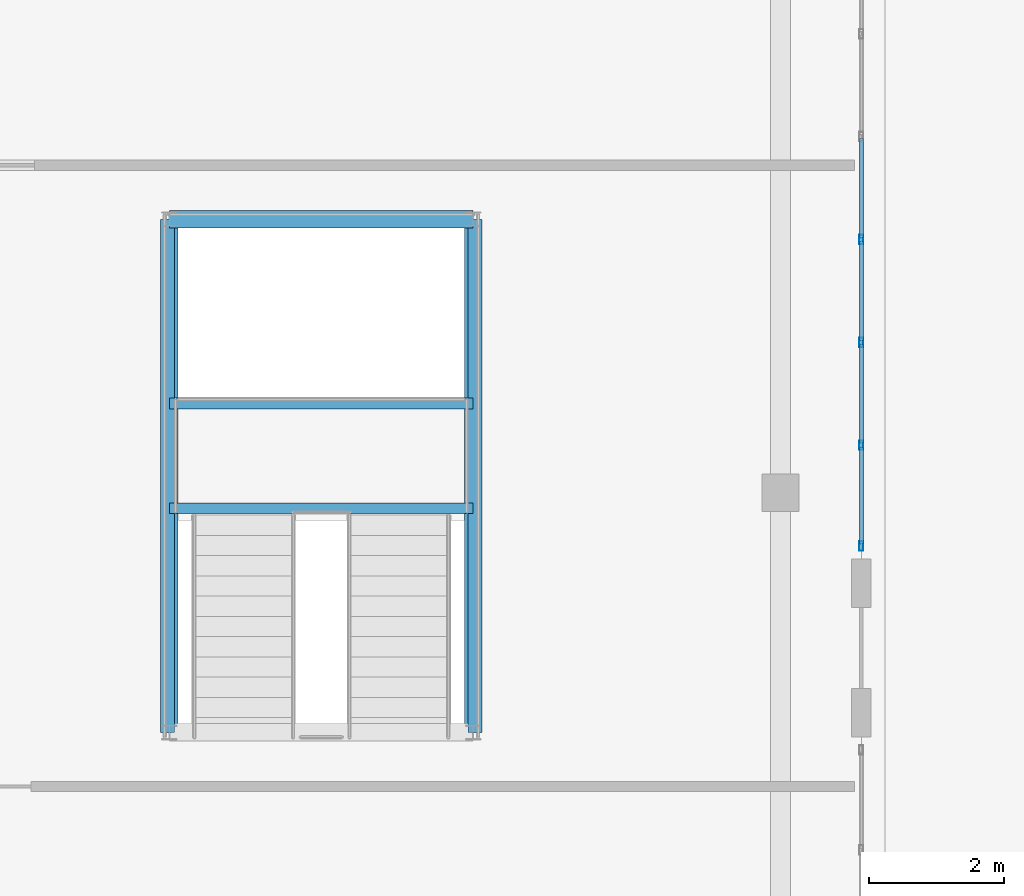
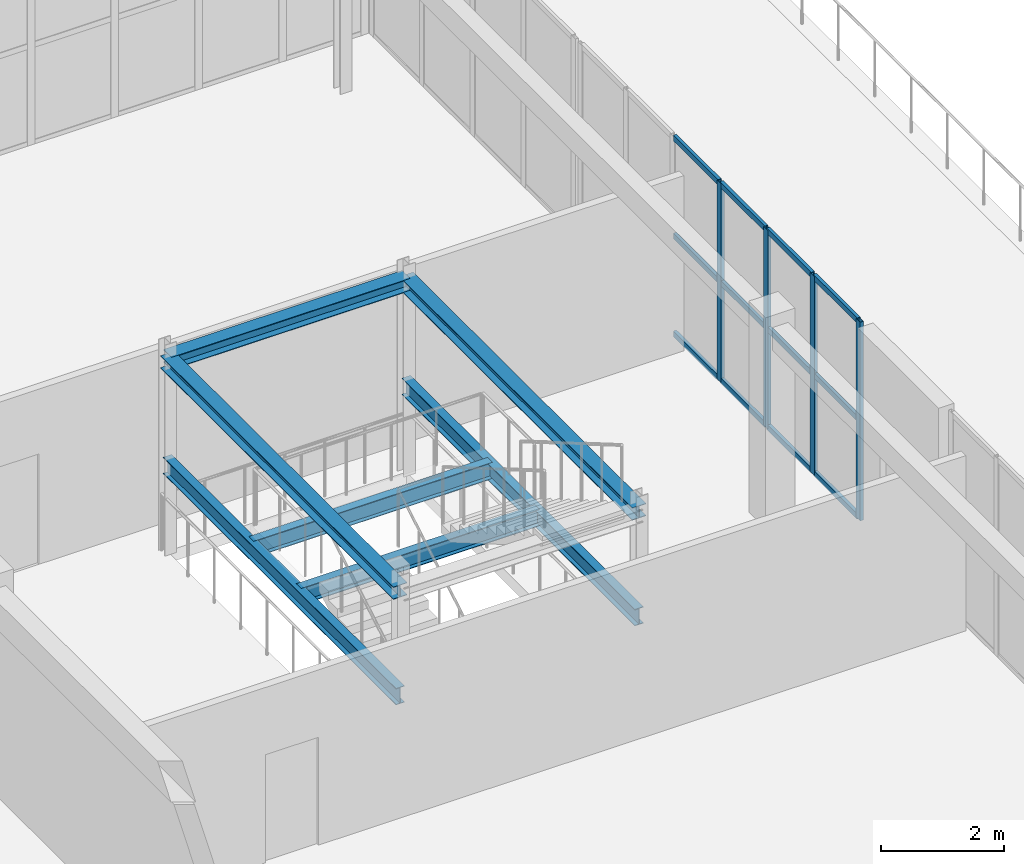
# One storey, part 33 of 90: 16 members, 7 beams, 1 element without a shape of its own.
"""IFC4 building model written with IfcOpenShell, lengths in metres."""

import ifcopenshell
import ifcopenshell.guid

model = None  # the IFC model being written
_history = None  # IfcOwnerHistory: only IFC2X3 demands one
_inside = {}  # id of a spatial element -> (the spatial element, [elements in it])
_under = {}  # id of a project, library or spatial element -> (it, [spatial elements below it])
_declared = {}  # id of a project -> (the project, [libraries it declares])
_typed = {}  # id of a type object -> (the type object, [elements of that type])
_made_of = {}  # id of a material, layer set ... -> (it, [elements and type objects made of it])


def new_model(schema):
    """Start an empty IFC model of exactly this schema.

    Asked for "IFC4X3", IfcOpenShell would pick the latest addendum, in which some entities
    have other attributes; the version numbers below select the first issue.
    IFC2X3 requires an IfcOwnerHistory on every rooted entity: one is made here for all.
    """
    global model, _history
    if schema == "IFC4X3":
        model = ifcopenshell.file(schema_version=(4, 3, 0, 0))
    else:
        model = ifcopenshell.file(schema=schema)
    _inside.clear()
    _under.clear()
    _declared.clear()
    _typed.clear()
    _made_of.clear()
    _history = None
    if model.schema == "IFC2X3":
        org = make("IfcOrganization", Name="unknown")
        user = make(
            "IfcPersonAndOrganization",
            ThePerson=make("IfcPerson", FamilyName="unknown"),
            TheOrganization=org,
        )
        app = make(
            "IfcApplication",
            ApplicationDeveloper=org,
            Version="unknown",
            ApplicationFullName="unknown",
            ApplicationIdentifier="unknown",
        )
        _history = make(
            "IfcOwnerHistory",
            OwningUser=user,
            OwningApplication=app,
            ChangeAction="ADDED",
            CreationDate=0,
        )
    return model


def make(cls, **values):
    """One entity of the class cls with the attributes given. An attribute that is None is left unset."""
    return model.create_entity(
        cls, **{name: value for name, value in values.items() if value is not None}
    )


def rooted(cls, **values):
    """An entity with a GlobalId (a new one), such as an element, a storey or a relation."""
    return make(cls, GlobalId=ifcopenshell.guid.new(), OwnerHistory=_history, **values)


def si_unit(unit_type, name, prefix=None):
    """IfcSIUnit, for example si_unit("LENGTHUNIT", "METRE", prefix="MILLI")."""
    return make("IfcSIUnit", UnitType=unit_type, Prefix=prefix, Name=name)


def assignment(units):
    """IfcUnitAssignment: the units of a project."""
    return None if units is None else make("IfcUnitAssignment", Units=units)


def point(xyz):
    """IfcCartesianPoint."""
    return None if xyz is None else make("IfcCartesianPoint", Coordinates=xyz)


def direction(xyz):
    """IfcDirection."""
    return None if xyz is None else make("IfcDirection", DirectionRatios=xyz)


def frame(location, z_axis=None, x_axis=None):
    """IfcAxis2Placement3D, a coordinate frame: its origin and axes. An axis left out is left unset."""
    return make(
        "IfcAxis2Placement3D",
        Location=point(location),
        Axis=direction(z_axis),
        RefDirection=direction(x_axis),
    )


def frame_2d(location, x_axis=None):
    """IfcAxis2Placement2D, a coordinate frame in the plane: its origin and x axis."""
    return make(
        "IfcAxis2Placement2D", Location=point(location), RefDirection=direction(x_axis)
    )


def origin():
    """The frame at (0, 0, 0) with its axes left unset."""
    return frame((0.0, 0.0, 0.0))


def origin_2d():
    """The frame at (0, 0) in the plane with its x axis left unset."""
    return frame_2d((0.0, 0.0))


def place(relative_to, where):
    """IfcLocalPlacement: puts the frame where relative to a parent placement (None: the world)."""
    return make(
        "IfcLocalPlacement", PlacementRelTo=relative_to, RelativePlacement=where
    )


def context(
    kind, dimensions, precision=None, world=None, true_north=None, identifier=None
):
    """IfcGeometricRepresentationContext, for example the 3D "Model" context."""
    return make(
        "IfcGeometricRepresentationContext",
        ContextIdentifier=identifier,
        ContextType=kind,
        CoordinateSpaceDimension=dimensions,
        Precision=precision,
        WorldCoordinateSystem=world,
        TrueNorth=true_north,
    )


def subcontext(parent, identifier, kind, view, scale=None):
    """IfcGeometricRepresentationSubContext, for example "Body" below "Model"."""
    return make(
        "IfcGeometricRepresentationSubContext",
        ContextIdentifier=identifier,
        ContextType=kind,
        ParentContext=parent,
        TargetScale=scale,
        TargetView=view,
    )


def project(units=None, contexts=None):
    """IfcProject with its units and contexts."""
    return rooted(
        "IfcProject",
        Name="project",
        RepresentationContexts=contexts,
        UnitsInContext=assignment(units),
    )


def spatial(cls, under=None, at=None, **own):
    """A site, building, storey or space (cls), placed at a placement, below another one or the project."""
    s = rooted(cls, ObjectPlacement=at, **own)
    if under is not None:
        _under.setdefault(under.id(), (under, []))[1].append(s)
    return s


def profile(cls, at=None, kind="AREA", **sizes):
    """A parametric profile (cls). Its sizes go by their IFC names, for example OverallWidth=200.0."""
    return make(cls, ProfileType=kind, Position=at, **sizes)


def hollow_rectangle(**sizes):
    """IfcRectangleHollowProfileDef."""
    return profile("IfcRectangleHollowProfileDef", **sizes)


def i_section(**sizes):
    """IfcIShapeProfileDef."""
    return profile("IfcIShapeProfileDef", **sizes)


def extrude(swept, where, along, depth):
    """IfcExtrudedAreaSolid: the profile swept, set in the frame where, extruded along a direction by depth."""
    return make(
        "IfcExtrudedAreaSolid",
        SweptArea=swept,
        Position=where,
        ExtrudedDirection=direction(along),
        Depth=depth,
    )


def shape(context_of_items, identifier, shape_type, items):
    """IfcShapeRepresentation: the items that make up one representation, for example the "Body"."""
    return make(
        "IfcShapeRepresentation",
        ContextOfItems=context_of_items,
        RepresentationIdentifier=identifier,
        RepresentationType=shape_type,
        Items=items,
    )


def material(Name=None, Category=None):
    """IfcMaterial."""
    return make("IfcMaterial", Name=Name, Category=Category)


def layer(
    of_material, thickness, ventilated=None, Name=None, Category=None, Priority=None
):
    """IfcMaterialLayer: one layer of a wall or slab, of a material (None: an air gap)."""
    return make(
        "IfcMaterialLayer",
        Material=of_material,
        LayerThickness=thickness,
        IsVentilated=ventilated,
        Name=Name,
        Category=Category,
        Priority=Priority,
    )


def layer_set(layers, Name=None):
    """IfcMaterialLayerSet."""
    return make("IfcMaterialLayerSet", MaterialLayers=layers, LayerSetName=Name)


def material_profile(
    of_material, cross_section, Name=None, Category=None, Priority=None
):
    """IfcMaterialProfile: a cross section and its material."""
    return make(
        "IfcMaterialProfile",
        Name=Name,
        Material=of_material,
        Profile=cross_section,
        Priority=Priority,
        Category=Category,
    )


def profile_set(profiles, Name=None, composite=None):
    """IfcMaterialProfileSet."""
    return make(
        "IfcMaterialProfileSet",
        Name=Name,
        MaterialProfiles=profiles,
        CompositeProfile=composite,
    )


def made_of(thing, what):
    """Note that an element or type object is made of a material, layer set ...; save() writes the relation."""
    if what is not None:
        _made_of.setdefault(what.id(), (what, []))[1].append(thing)
    return thing


def type_object(cls, material=None, **own):
    """A type object (cls), such as IfcWallType, which elements share."""
    return made_of(rooted(cls, **own), material)


def element(
    cls,
    number,
    at=None,
    inside=None,
    cuts=None,
    type_object=None,
    material=None,
    context=None,
    identifier="Body",
    shape_type=None,
    held_by="IfcProductDefinitionShape",
    body=None,
    shapes=None,
    **own,
):
    """One element of the class cls, such as IfcWall. Its Tag is "e" and its number.

    at: its placement. inside: the storey or other place that contains it. cuts: it is an
    opening in that element (IfcRelVoidsElement). A single representation is given by context,
    identifier, shape_type and body (its items); several are given by shapes. held_by: the class
    of the entity that holds the representations. save() writes the other relations.
    """
    e = rooted(cls, Tag="e%d" % number, ObjectPlacement=at, **own)
    if body is not None:
        shapes = [shape(context, identifier, shape_type, body)]
    if shapes is not None:
        e.Representation = make(held_by, Representations=shapes)
    if inside is not None:
        _inside.setdefault(inside.id(), (inside, []))[1].append(e)
    if cuts is not None:
        rooted(
            "IfcRelVoidsElement", RelatingBuildingElement=cuts, RelatedOpeningElement=e
        )
    if type_object is not None:
        _typed.setdefault(type_object.id(), (type_object, []))[1].append(e)
    return made_of(e, material)


def aggregate(whole, parts):
    """IfcRelAggregates: a whole, such as a stair, and the parts it consists of."""
    return rooted("IfcRelAggregates", RelatingObject=whole, RelatedObjects=parts)


def save(model, path):
    """Write the relations noted so far, then the file.

    IfcRelAggregates (storeys below a building ...), IfcRelContainedInSpatialStructure (elements
    in a storey), IfcRelDefinesByType, IfcRelAssociatesMaterial and IfcRelDeclares: one each for
    every whole, place, type object, material and project.
    """
    for whole, parts in _under.values():
        aggregate(whole, parts)
    for where, things in _inside.values():
        rooted(
            "IfcRelContainedInSpatialStructure",
            RelatedElements=things,
            RelatingStructure=where,
        )
    for kind, things in _typed.values():
        rooted("IfcRelDefinesByType", RelatedObjects=things, RelatingType=kind)
    for what, things in _made_of.values():
        rooted("IfcRelAssociatesMaterial", RelatedObjects=things, RelatingMaterial=what)
    for by, libraries in _declared.values():
        rooted("IfcRelDeclares", RelatingContext=by, RelatedDefinitions=libraries)
    model.write(path)


model = new_model("IFC4")

# Units and contexts
model_context = context("Model", 3, precision=1e-05, world=origin(), true_north=direction((0.0, 1.0)))
body_context = subcontext(model_context, "Body", "Model", "MODEL_VIEW")
ifc_project = project(units=[si_unit("LENGTHUNIT", "METRE"), si_unit("AREAUNIT", "SQUARE_METRE"), si_unit("VOLUMEUNIT", "CUBIC_METRE"), si_unit("PLANEANGLEUNIT", "RADIAN"), si_unit("MASSUNIT", "GRAM", prefix="KILO")], contexts=[model_context])

# Site, building, storey
site_placement = place(None, origin())
site = spatial("IfcSite", under=ifc_project, at=site_placement, CompositionType="ELEMENT")
building_placement = place(site_placement, origin())
building = spatial("IfcBuilding", under=site, at=building_placement, Name="Trelvath General Hospital", CompositionType="ELEMENT")
storey_placement = place(building_placement, frame((0.0, 0.0, 20.39990234375)))
storey = spatial("IfcBuildingStorey", under=building, at=storey_placement, Name="L05", CompositionType="ELEMENT", Elevation=20.39990234375)

# Curtain wall, members
ifc_material_1 = material(Name="Anodised aluminium and low-E glass", Category="aluminium")
ifc_layer = layer(ifc_material_1, 0.14990234375)
ifc_layer_set = layer_set([ifc_layer], Name="Anodised aluminium and low-E glass")
curtain_wall_type = type_object("IfcCurtainWallType", Name="CW CrystalCube 914 396 15", PredefinedType="USERDEFINED", material=ifc_layer_set)
curtain_wall_placement = place(storey_placement, origin())
curtain_wall = element("IfcCurtainWall", 1, at=curtain_wall_placement, inside=storey, type_object=curtain_wall_type, Name="Crystal Cube Curtain Wall CUBE-E-T2 E4 L05", ObjectType="Unitised Glazed Curtain Wall", PredefinedType="USERDEFINED")
ifc_material_2 = material(Name="Anodised aluminium", Category="aluminium")
ifc_material_profile_1 = material_profile(ifc_material_2, hollow_rectangle(XDim=0.06005859375, YDim=0.139892578125, WallThickness=0.00390625, at=origin_2d()), Name="RHS60x140x4")
ifc_profile_set_1 = profile_set([ifc_material_profile_1], Name="Anodised aluminium")
member_type_1 = type_object("IfcMemberType", Name="CurtainMullion 60x140", PredefinedType="MULLION", material=ifc_profile_set_1)
member_1_placement = place(storey_placement, frame((108.39990234375, 62.550048828125, 0.0), z_axis=(0.0, 0.0, 1.0), x_axis=(1.0, 0.0, 0.0)))
member_1 = element("IfcMember", 2, at=member_1_placement, type_object=member_type_1, Name="CW-321 mullion 4", PredefinedType="MULLION", context=body_context, shape_type="SweptSolid", body=[
    extrude(hollow_rectangle(XDim=0.06005859375, YDim=0.139892578125, WallThickness=0.00390625, at=origin_2d()), origin(), (0.0, 0.0, 1.0), 3.960205078125),
])
member_2_placement = place(storey_placement, frame((108.39990234375, 61.026611328125, 0.0), z_axis=(0.0, 0.0, 1.0), x_axis=(1.0, 0.0, 0.0)))
member_2 = element("IfcMember", 3, at=member_2_placement, type_object=member_type_1, Name="CW-321 mullion 5", PredefinedType="MULLION", context=body_context, shape_type="SweptSolid", body=[
    extrude(hollow_rectangle(XDim=0.06005859375, YDim=0.139892578125, WallThickness=0.00390625, at=origin_2d()), origin(), (0.0, 0.0, 1.0), 3.960205078125),
])
member_3_placement = place(storey_placement, frame((108.39990234375, 59.50341796875, 0.0), z_axis=(0.0, 0.0, 1.0), x_axis=(1.0, 0.0, 0.0)))
member_3 = element("IfcMember", 4, at=member_3_placement, type_object=member_type_1, Name="CW-321 mullion 6", PredefinedType="MULLION", context=body_context, shape_type="SweptSolid", body=[
    extrude(hollow_rectangle(XDim=0.06005859375, YDim=0.139892578125, WallThickness=0.00390625, at=origin_2d()), origin(), (0.0, 0.0, 1.0), 3.960205078125),
])
member_4_placement = place(storey_placement, frame((108.39990234375, 58.010009765625, 0.0), z_axis=(0.0, 0.0, 1.0), x_axis=(1.0, 0.0, 0.0)))
member_4 = element("IfcMember", 5, at=member_4_placement, type_object=member_type_1, Name="CW-321 mullion 7", PredefinedType="MULLION", context=body_context, shape_type="SweptSolid", body=[
    extrude(hollow_rectangle(XDim=0.06005859375, YDim=0.139892578125, WallThickness=0.00390625, at=origin_2d()), origin(), (0.0, 0.0, 1.0), 3.960205078125),
])
ifc_material_3 = material(Name="Anodised aluminium", Category="aluminium")
ifc_material_profile_2 = material_profile(ifc_material_3, hollow_rectangle(XDim=0.06005859375, YDim=0.110107421875, WallThickness=0.00390625, at=origin_2d()), Name="RHS60x110x4")
ifc_profile_set_2 = profile_set([ifc_material_profile_2], Name="Anodised aluminium")
member_type_2 = type_object("IfcMemberType", Name="CurtainTransom 60x110", PredefinedType="USERDEFINED", material=ifc_profile_set_2)
member_5_placement = place(storey_placement, frame((108.39990234375, 64.043212890625, 0.030029296875), z_axis=(0.0, -1.0, 0.0), x_axis=(1.0, 0.0, 0.0)))
member_5 = element("IfcMember", 6, at=member_5_placement, type_object=member_type_2, Name="CW-321 transom 3.1", ObjectType="TRANSOM", PredefinedType="USERDEFINED", context=body_context, shape_type="SweptSolid", body=[
    extrude(hollow_rectangle(XDim=0.06005859375, YDim=0.110107421875, WallThickness=0.00390625, at=origin_2d()), origin(), (0.0, 0.0, 1.0), 1.463134765625),
])
member_6_placement = place(storey_placement, frame((108.39990234375, 64.043212890625, 1.97998046875), z_axis=(0.0, -1.0, 0.0), x_axis=(1.0, 0.0, 0.0)))
member_6 = element("IfcMember", 7, at=member_6_placement, type_object=member_type_2, Name="CW-321 transom 3.2", ObjectType="TRANSOM", PredefinedType="USERDEFINED", context=body_context, shape_type="SweptSolid", body=[
    extrude(hollow_rectangle(XDim=0.06005859375, YDim=0.110107421875, WallThickness=0.00390625, at=origin_2d()), origin(), (0.0, 0.0, 1.0), 1.463134765625),
])
member_7_placement = place(storey_placement, frame((108.39990234375, 64.043212890625, 3.93017578125), z_axis=(0.0, -1.0, 0.0), x_axis=(1.0, 0.0, 0.0)))
member_7 = element("IfcMember", 8, at=member_7_placement, type_object=member_type_2, Name="CW-321 transom 3.3", ObjectType="TRANSOM", PredefinedType="USERDEFINED", context=body_context, shape_type="SweptSolid", body=[
    extrude(hollow_rectangle(XDim=0.06005859375, YDim=0.110107421875, WallThickness=0.00390625, at=origin_2d()), origin(), (0.0, 0.0, 1.0), 1.463134765625),
])
member_8_placement = place(storey_placement, frame((108.39990234375, 62.52001953125, 0.030029296875), z_axis=(0.0, -1.0, 0.0), x_axis=(1.0, 0.0, 0.0)))
member_8 = element("IfcMember", 9, at=member_8_placement, type_object=member_type_2, Name="CW-321 transom 4.1", ObjectType="TRANSOM", PredefinedType="USERDEFINED", context=body_context, shape_type="SweptSolid", body=[
    extrude(hollow_rectangle(XDim=0.06005859375, YDim=0.110107421875, WallThickness=0.00390625, at=origin_2d()), origin(), (0.0, 0.0, 1.0), 1.46337890625),
])
member_9_placement = place(storey_placement, frame((108.39990234375, 62.52001953125, 1.97998046875), z_axis=(0.0, -1.0, 0.0), x_axis=(1.0, 0.0, 0.0)))
member_9 = element("IfcMember", 10, at=member_9_placement, type_object=member_type_2, Name="CW-321 transom 4.2", ObjectType="TRANSOM", PredefinedType="USERDEFINED", context=body_context, shape_type="SweptSolid", body=[
    extrude(hollow_rectangle(XDim=0.06005859375, YDim=0.110107421875, WallThickness=0.00390625, at=origin_2d()), origin(), (0.0, 0.0, 1.0), 1.46337890625),
])
member_10_placement = place(storey_placement, frame((108.39990234375, 62.52001953125, 3.93017578125), z_axis=(0.0, -1.0, 0.0), x_axis=(1.0, 0.0, 0.0)))
member_10 = element("IfcMember", 11, at=member_10_placement, type_object=member_type_2, Name="CW-321 transom 4.3", ObjectType="TRANSOM", PredefinedType="USERDEFINED", context=body_context, shape_type="SweptSolid", body=[
    extrude(hollow_rectangle(XDim=0.06005859375, YDim=0.110107421875, WallThickness=0.00390625, at=origin_2d()), origin(), (0.0, 0.0, 1.0), 1.46337890625),
])
member_11_placement = place(storey_placement, frame((108.39990234375, 60.99658203125, 0.030029296875), z_axis=(0.0, -1.0, 0.0), x_axis=(1.0, 0.0, 0.0)))
member_11 = element("IfcMember", 12, at=member_11_placement, type_object=member_type_2, Name="CW-321 transom 5.1", ObjectType="TRANSOM", PredefinedType="USERDEFINED", context=body_context, shape_type="SweptSolid", body=[
    extrude(hollow_rectangle(XDim=0.06005859375, YDim=0.110107421875, WallThickness=0.00390625, at=origin_2d()), origin(), (0.0, 0.0, 1.0), 1.463134765625),
])
member_12_placement = place(storey_placement, frame((108.39990234375, 60.99658203125, 1.97998046875), z_axis=(0.0, -1.0, 0.0), x_axis=(1.0, 0.0, 0.0)))
member_12 = element("IfcMember", 13, at=member_12_placement, type_object=member_type_2, Name="CW-321 transom 5.2", ObjectType="TRANSOM", PredefinedType="USERDEFINED", context=body_context, shape_type="SweptSolid", body=[
    extrude(hollow_rectangle(XDim=0.06005859375, YDim=0.110107421875, WallThickness=0.00390625, at=origin_2d()), origin(), (0.0, 0.0, 1.0), 1.463134765625),
])
member_13_placement = place(storey_placement, frame((108.39990234375, 60.99658203125, 3.93017578125), z_axis=(0.0, -1.0, 0.0), x_axis=(1.0, 0.0, 0.0)))
member_13 = element("IfcMember", 14, at=member_13_placement, type_object=member_type_2, Name="CW-321 transom 5.3", ObjectType="TRANSOM", PredefinedType="USERDEFINED", context=body_context, shape_type="SweptSolid", body=[
    extrude(hollow_rectangle(XDim=0.06005859375, YDim=0.110107421875, WallThickness=0.00390625, at=origin_2d()), origin(), (0.0, 0.0, 1.0), 1.463134765625),
])
member_14_placement = place(storey_placement, frame((108.39990234375, 59.473388671875, 0.030029296875), z_axis=(0.0, -1.0, 0.0), x_axis=(1.0, 0.0, 0.0)))
member_14 = element("IfcMember", 15, at=member_14_placement, type_object=member_type_2, Name="CW-321 transom 6.1", ObjectType="TRANSOM", PredefinedType="USERDEFINED", context=body_context, shape_type="SweptSolid", body=[
    extrude(hollow_rectangle(XDim=0.06005859375, YDim=0.110107421875, WallThickness=0.00390625, at=origin_2d()), origin(), (0.0, 0.0, 1.0), 1.433349609375),
])
member_15_placement = place(storey_placement, frame((108.39990234375, 59.473388671875, 1.97998046875), z_axis=(0.0, -1.0, 0.0), x_axis=(1.0, 0.0, 0.0)))
member_15 = element("IfcMember", 16, at=member_15_placement, type_object=member_type_2, Name="CW-321 transom 6.2", ObjectType="TRANSOM", PredefinedType="USERDEFINED", context=body_context, shape_type="SweptSolid", body=[
    extrude(hollow_rectangle(XDim=0.06005859375, YDim=0.110107421875, WallThickness=0.00390625, at=origin_2d()), origin(), (0.0, 0.0, 1.0), 1.433349609375),
])
member_16_placement = place(storey_placement, frame((108.39990234375, 59.473388671875, 3.93017578125), z_axis=(0.0, -1.0, 0.0), x_axis=(1.0, 0.0, 0.0)))
member_16 = element("IfcMember", 17, at=member_16_placement, type_object=member_type_2, Name="CW-321 transom 6.3", ObjectType="TRANSOM", PredefinedType="USERDEFINED", context=body_context, shape_type="SweptSolid", body=[
    extrude(hollow_rectangle(XDim=0.06005859375, YDim=0.110107421875, WallThickness=0.00390625, at=origin_2d()), origin(), (0.0, 0.0, 1.0), 1.433349609375),
])
aggregate(curtain_wall, [member_1, member_2, member_3, member_4, member_5, member_6, member_7, member_8, member_9, member_10, member_11, member_12, member_13, member_14, member_15, member_16])

# Beams
ifc_material_4 = material(Name="Steel S355", Category="steel")
ifc_material_profile_3 = material_profile(ifc_material_4, i_section(OverallWidth=0.260009765625, OverallDepth=0.25, WebThickness=0.007568359375, FlangeThickness=0.012451171875, at=origin_2d()), Name="HEA260")
ifc_profile_set_3 = profile_set([ifc_material_profile_3], Name="Steel S355")
beam_type_1 = type_object("IfcBeamType", Name="RingBeam HEA260", PredefinedType="BEAM", material=ifc_profile_set_3)
beam_placement = place(storey_placement, frame((98.14990234375, 62.85009765625, 3.815185546875), z_axis=(1.0, 0.0, 0.0), x_axis=(0.0, 1.0, 0.0)))
element("IfcBeam", 18, at=beam_placement, inside=storey, type_object=beam_type_1, Name="Atrium Ring Beam CUBE-E N L05", PredefinedType="BEAM", context=body_context, shape_type="SweptSolid", body=[
    extrude(i_section(OverallWidth=0.260009765625, OverallDepth=0.25, WebThickness=0.007568359375, FlangeThickness=0.012451171875, at=origin_2d()), origin(), (0.0, 0.0, 1.0), 4.5),
])
for number, where, z_axis, x_axis, name in (
    (19, (98.14990234375, 55.25, 3.815185546875), (0.0, 1.0, 0.0), (-1.0, 0.0, 0.0), "Atrium Ring Beam CUBE-E W L05"),
    (20, (102.64990234375, 55.25, 3.815185546875), (0.0, 1.0, 0.0), (-1.0, 0.0, 0.0), "Atrium Ring Beam CUBE-E E L05"),
):
    element("IfcBeam", number, at=place(storey_placement, frame(where, z_axis=z_axis, x_axis=x_axis)), inside=storey, type_object=beam_type_1, Name=name, PredefinedType="BEAM", context=body_context, shape_type="SweptSolid", body=[
        extrude(i_section(OverallWidth=0.260009765625, OverallDepth=0.25, WebThickness=0.007568359375, FlangeThickness=0.012451171875, at=origin_2d()), origin(), (0.0, 0.0, 1.0), 7.60009765625),
    ])
ifc_material_5 = material(Name="Steel S355", Category="steel")
ifc_material_profile_4 = material_profile(ifc_material_5, i_section(OverallWidth=0.159912109375, OverallDepth=0.330078125, WebThickness=0.007568359375, FlangeThickness=0.011474609375, at=origin_2d()), Name="IPE330")
ifc_profile_set_4 = profile_set([ifc_material_profile_4], Name="Steel S355")
beam_type_2 = type_object("IfcBeamType", Name="StairLandingBeam IPE330", PredefinedType="BEAM", material=ifc_profile_set_4)
for number, where, z_axis, x_axis, name in (
    (21, (98.14990234375, 55.25, 1.735107421875), (0.0, 1.0, 0.0), (-1.0, 0.0, 0.0), "Cube Stair Stringer Beam CUBE-E W L05"),
    (22, (102.64990234375, 55.25, 1.735107421875), (0.0, 1.0, 0.0), (-1.0, 0.0, 0.0), "Cube Stair Stringer Beam CUBE-E E L05"),
):
    element("IfcBeam", number, at=place(storey_placement, frame(where, z_axis=z_axis, x_axis=x_axis)), inside=storey, type_object=beam_type_2, Name=name, PredefinedType="BEAM", context=body_context, shape_type="SweptSolid", body=[
        extrude(i_section(OverallWidth=0.159912109375, OverallDepth=0.330078125, WebThickness=0.007568359375, FlangeThickness=0.011474609375, at=origin_2d()), origin(), (0.0, 0.0, 1.0), 7.60009765625),
    ])
for number, where, z_axis, x_axis, name in (
    (23, (98.14990234375, 58.570068359375, 1.735107421875), (1.0, 0.0, 0.0), (0.0, 1.0, 0.0), "Cube Landing Cross Beam CUBE-E S L05"),
    (24, (98.14990234375, 60.1201171875, 1.735107421875), (1.0, 0.0, 0.0), (0.0, 1.0, 0.0), "Cube Landing Cross Beam CUBE-E N L05"),
):
    element("IfcBeam", number, at=place(storey_placement, frame(where, z_axis=z_axis, x_axis=x_axis)), inside=storey, type_object=beam_type_2, Name=name, PredefinedType="BEAM", context=body_context, shape_type="SweptSolid", body=[
        extrude(i_section(OverallWidth=0.159912109375, OverallDepth=0.330078125, WebThickness=0.007568359375, FlangeThickness=0.011474609375, at=origin_2d()), origin(), (0.0, 0.0, 1.0), 4.5),
    ])

save(model, "model.ifc")
